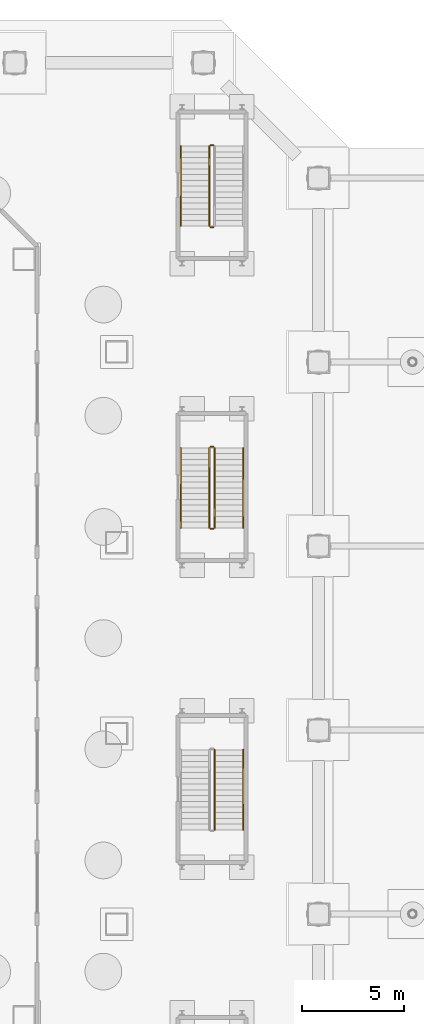
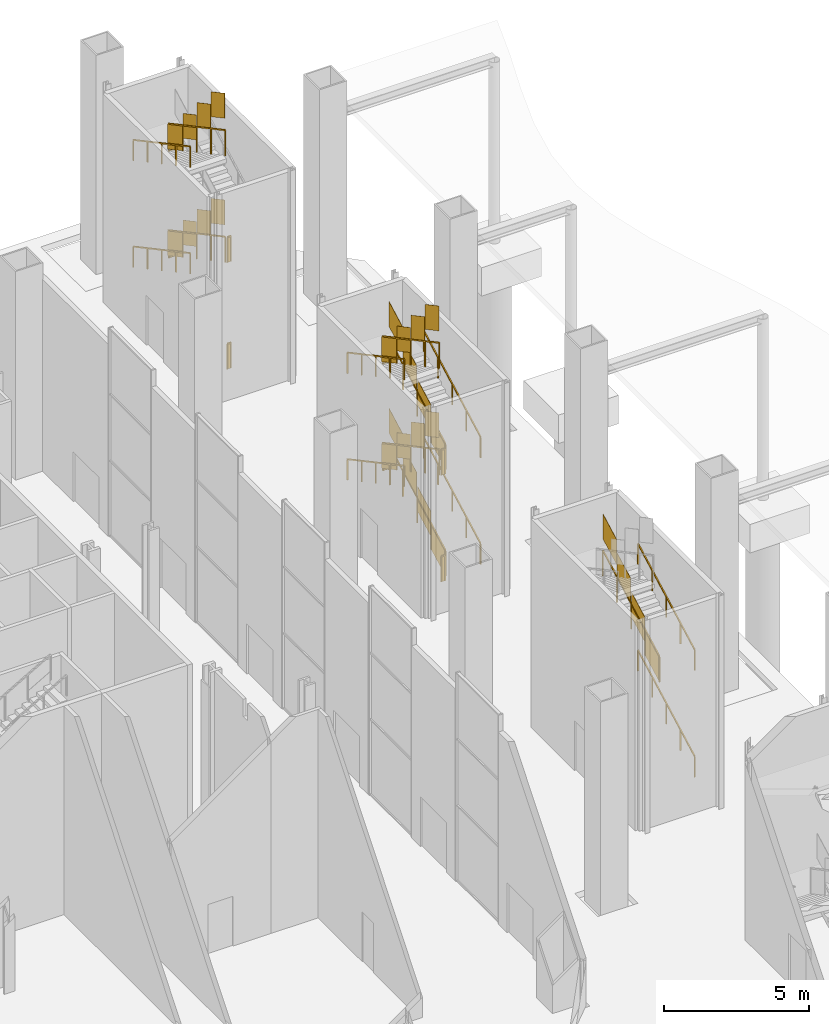
# One storey, part 36 of 38: 23 railings.
"""IFC4 building model written with IfcOpenShell, lengths in metres."""

from ifc_helpers import new_model, si_unit, direction, frame, origin, origin_2d, place, context, subcontext, project, spatial, polyline, rectangle, outline, extrude, material, type_object, element, save


model = new_model("IFC4")

# Units and contexts
model_context = context("Model", 3, precision=1e-05, world=origin(), true_north=direction((0.0, 1.0)))
body_context = subcontext(model_context, "Body", "Model", "MODEL_VIEW")
ifc_project = project(units=[si_unit("LENGTHUNIT", "METRE"), si_unit("AREAUNIT", "SQUARE_METRE"), si_unit("VOLUMEUNIT", "CUBIC_METRE"), si_unit("PLANEANGLEUNIT", "RADIAN"), si_unit("MASSUNIT", "GRAM", prefix="KILO")], contexts=[model_context])

# Site, building, storey
site_placement = place(None, origin())
site = spatial("IfcSite", under=ifc_project, at=site_placement, CompositionType="ELEMENT")
building_placement = place(site_placement, origin())
building = spatial("IfcBuilding", under=site, at=building_placement, Name="Cairn Pilgrim Tower", CompositionType="ELEMENT")
storey_placement = place(building_placement, origin())
storey = spatial("IfcBuildingStorey", under=building, at=storey_placement, Name="L00", CompositionType="ELEMENT", Elevation=0.0)

# Railings
ifc_material = material(Name="Painted steel", Category="steel")
railing_type_1 = type_object("IfcRailingType", Name="PODIUM STAIR GUARD 1100", PredefinedType="GUARDRAIL", material=ifc_material)
railing_1_placement = place(storey_placement, frame((32.699951171875, -9.39990234375, 4.64990234375)))
element("IfcRailing", 1, at=railing_1_placement, inside=storey, type_object=railing_type_1, Name="L00 ST-ES2 stair guard 5", PredefinedType="GUARDRAIL", context=body_context, shape_type="SweptSolid", body=[
    extrude(rectangle(XDim=0.048095703125, YDim=0.048095703125, at=origin_2d()), frame((0.0, 0.0, 1.076171875), z_axis=(0.0, 0.881466911329, 0.472245787945), x_axis=(-1.0, 0.0, 0.0)), (0.0, 0.0, 1.0), 4.447021484375),
    extrude(rectangle(XDim=0.0419921875, YDim=0.0419921875, at=origin_2d()), origin(), (0.0, 0.0, 1.0), 1.052001953125),
    extrude(rectangle(XDim=0.0419921875, YDim=0.0419921875, at=origin_2d()), frame((0.0, 0.97998046875, 0.52490234375)), (0.0, 0.0, 1.0), 1.052001953125),
    extrude(rectangle(XDim=0.0419921875, YDim=0.0419921875, at=origin_2d()), frame((0.0, 1.9599609375, 1.050048828125)), (0.0, 0.0, 1.0), 1.052001953125),
    extrude(rectangle(XDim=0.0419921875, YDim=0.0419921875, at=origin_2d()), frame((0.0, 2.93994140625, 1.5751953125)), (0.0, 0.0, 1.0), 1.052001953125),
    extrude(rectangle(XDim=0.0419921875, YDim=0.0419921875, at=origin_2d()), frame((0.0, 3.919921875, 2.10009765625)), (0.0, 0.0, 1.0), 1.052001953125),
    extrude(outline(polyline([(0.02099609375, 0.01123046875), (0.958984375, 0.513671875), (0.958984375, 1.565673828125), (0.02099609375, 1.063232421875), (0.02099609375, 0.01123046875)])), frame((-0.005859375, 0.0, 0.0), z_axis=(1.0, 0.0, 0.0), x_axis=(0.0, 1.0, 0.0)), (0.0, 0.0, 1.0), 0.011962890625),
    extrude(outline(polyline([(0.02099609375, 0.536376953125), (0.958984375, 1.038818359375), (0.958984375, 2.0908203125), (0.02099609375, 1.58837890625), (0.02099609375, 0.536376953125)])), frame((-0.005859375, 0.97998046875, 0.52490234375), z_axis=(1.0, 0.0, 0.0), x_axis=(0.0, 1.0, 0.0)), (0.0, 0.0, 1.0), 0.011962890625),
    extrude(outline(polyline([(0.02099609375, 1.061279296875), (0.958984375, 1.563720703125), (0.958984375, 2.61572265625), (0.02099609375, 2.11328125), (0.02099609375, 1.061279296875)])), frame((-0.005859375, 1.9599609375, 1.050048828125), z_axis=(1.0, 0.0, 0.0), x_axis=(0.0, 1.0, 0.0)), (0.0, 0.0, 1.0), 0.011962890625),
    extrude(outline(polyline([(0.02099609375, 1.58642578125), (0.958984375, 2.0888671875), (0.958984375, 3.140869140625), (0.02099609375, 2.638427734375), (0.02099609375, 1.58642578125)])), frame((-0.005859375, 2.93994140625, 1.5751953125), z_axis=(1.0, 0.0, 0.0), x_axis=(0.0, 1.0, 0.0)), (0.0, 0.0, 1.0), 0.011962890625),
])
railing_2_placement = place(storey_placement, frame((32.699951171875, 5.39990234375, 0.14990234375)))
element("IfcRailing", 2, at=railing_2_placement, inside=storey, type_object=railing_type_1, Name="L00 ST-ES3 stair guard 1", PredefinedType="GUARDRAIL", context=body_context, shape_type="SweptSolid", body=[
    extrude(rectangle(XDim=0.048095703125, YDim=0.048095703125, at=origin_2d()), frame((0.0, 0.0, 1.076171875), z_axis=(0.0, 0.881479153919, 0.472222935917), x_axis=(-1.0, 0.0, 0.0)), (0.0, 0.0, 1.0), 4.447265625),
    extrude(rectangle(XDim=0.0419921875, YDim=0.0419921875, at=origin_2d()), origin(), (0.0, 0.0, 1.0), 1.052001953125),
    extrude(rectangle(XDim=0.0419921875, YDim=0.0419921875, at=origin_2d()), frame((0.0, 0.97998046875, 0.52490234375)), (0.0, 0.0, 1.0), 1.052001953125),
    extrude(rectangle(XDim=0.0419921875, YDim=0.0419921875, at=origin_2d()), frame((0.0, 1.960205078125, 1.050048828125)), (0.0, 0.0, 1.0), 1.052001953125),
    extrude(rectangle(XDim=0.0419921875, YDim=0.0419921875, at=origin_2d()), frame((0.0, 2.940185546875, 1.5751953125)), (0.0, 0.0, 1.0), 1.052001953125),
    extrude(rectangle(XDim=0.0419921875, YDim=0.0419921875, at=origin_2d()), frame((0.0, 3.920166015625, 2.10009765625)), (0.0, 0.0, 1.0), 1.052001953125),
    extrude(outline(polyline([(0.02099609375, 0.01123046875), (0.958984375, 0.513671875), (0.958984375, 1.565673828125), (0.02099609375, 1.063232421875), (0.02099609375, 0.01123046875)])), frame((-0.005859375, 0.0, 0.0), z_axis=(1.0, 0.0, 0.0), x_axis=(0.0, 1.0, 0.0)), (0.0, 0.0, 1.0), 0.011962890625),
    extrude(outline(polyline([(0.02099609375, 0.536376953125), (0.958984375, 1.038818359375), (0.958984375, 2.0908203125), (0.02099609375, 1.58837890625), (0.02099609375, 0.536376953125)])), frame((-0.005859375, 0.97998046875, 0.52490234375), z_axis=(1.0, 0.0, 0.0), x_axis=(0.0, 1.0, 0.0)), (0.0, 0.0, 1.0), 0.011962890625),
    extrude(outline(polyline([(0.02099609375, 1.061279296875), (0.958984375, 1.563720703125), (0.958984375, 2.61572265625), (0.02099609375, 2.11328125), (0.02099609375, 1.061279296875)])), frame((-0.005859375, 1.960205078125, 1.050048828125), z_axis=(1.0, 0.0, 0.0), x_axis=(0.0, 1.0, 0.0)), (0.0, 0.0, 1.0), 0.011962890625),
    extrude(outline(polyline([(0.02099609375, 1.58642578125), (0.958984375, 2.0888671875), (0.958984375, 3.140869140625), (0.02099609375, 2.638427734375), (0.02099609375, 1.58642578125)])), frame((-0.005859375, 2.940185546875, 1.5751953125), z_axis=(1.0, 0.0, 0.0), x_axis=(0.0, 1.0, 0.0)), (0.0, 0.0, 1.0), 0.011962890625),
])
railing_3_placement = place(storey_placement, frame((32.64990234375, 9.3701171875, 2.25)))
element("IfcRailing", 3, at=railing_3_placement, inside=storey, type_object=railing_type_1, Name="L00 ST-ES3 stair guard 2", PredefinedType="GUARDRAIL", context=body_context, shape_type="SweptSolid", body=[
    extrude(rectangle(XDim=0.048095703125, YDim=0.048095703125, at=origin_2d()), frame((0.0, 0.0, 1.076171875), z_axis=(-1.0, 0.0, 0.0), x_axis=(0.0, -1.0, 0.0)), (0.0, 0.0, 1.0), 0.14990234375),
    extrude(rectangle(XDim=0.0419921875, YDim=0.0419921875, at=origin_2d()), origin(), (0.0, 0.0, 1.0), 1.052001953125),
    extrude(rectangle(XDim=0.0419921875, YDim=0.0419921875, at=origin_2d()), frame((-0.14990234375, 0.0, 0.0)), (0.0, 0.0, 1.0), 1.052001953125),
    extrude(outline(polyline([(0.02099609375, 0.0), (0.12890625, 0.0), (0.12890625, 1.052001953125), (0.02099609375, 1.052001953125), (0.02099609375, 0.0)])), frame((0.0, -0.005859375, 0.0), z_axis=(0.0, 1.0, 0.0), x_axis=(-1.0, 0.0, 0.0)), (0.0, 0.0, 1.0), 0.011962890625),
])
railing_4_placement = place(storey_placement, frame((32.449951171875, 9.320068359375, 2.39990234375)))
element("IfcRailing", 4, at=railing_4_placement, inside=storey, type_object=railing_type_1, Name="L00 ST-ES3 stair guard 3", PredefinedType="GUARDRAIL", context=body_context, shape_type="SweptSolid", body=[
    extrude(rectangle(XDim=0.048095703125, YDim=0.048095703125, at=origin_2d()), frame((0.0, 0.0, 1.076171875), z_axis=(0.0, -0.881479153919, 0.472222935917), x_axis=(1.0, 0.0, 0.0)), (0.0, 0.0, 1.0), 4.447265625),
    extrude(rectangle(XDim=0.0419921875, YDim=0.0419921875, at=origin_2d()), origin(), (0.0, 0.0, 1.0), 1.052001953125),
    extrude(rectangle(XDim=0.0419921875, YDim=0.0419921875, at=origin_2d()), frame((0.0, -0.97998046875, 0.52490234375)), (0.0, 0.0, 1.0), 1.052001953125),
    extrude(rectangle(XDim=0.0419921875, YDim=0.0419921875, at=origin_2d()), frame((0.0, -1.960205078125, 1.050048828125)), (0.0, 0.0, 1.0), 1.052001953125),
    extrude(rectangle(XDim=0.0419921875, YDim=0.0419921875, at=origin_2d()), frame((0.0, -2.940185546875, 1.5751953125)), (0.0, 0.0, 1.0), 1.052001953125),
    extrude(rectangle(XDim=0.0419921875, YDim=0.0419921875, at=origin_2d()), frame((0.0, -3.920166015625, 2.10009765625)), (0.0, 0.0, 1.0), 1.052001953125),
    extrude(outline(polyline([(0.02099609375, 0.01123046875), (0.958984375, 0.513671875), (0.958984375, 1.565673828125), (0.02099609375, 1.063232421875), (0.02099609375, 0.01123046875)])), frame((0.005859375, 0.0, 0.0), z_axis=(-1.0, 0.0, 0.0), x_axis=(0.0, -1.0, 0.0)), (0.0, 0.0, 1.0), 0.011962890625),
    extrude(outline(polyline([(0.02099609375, 0.536376953125), (0.958984375, 1.038818359375), (0.958984375, 2.0908203125), (0.02099609375, 1.58837890625), (0.02099609375, 0.536376953125)])), frame((0.005859375, -0.97998046875, 0.52490234375), z_axis=(-1.0, 0.0, 0.0), x_axis=(0.0, -1.0, 0.0)), (0.0, 0.0, 1.0), 0.011962890625),
    extrude(outline(polyline([(0.02099609375, 1.061279296875), (0.958984375, 1.563720703125), (0.958984375, 2.61572265625), (0.02099609375, 2.11328125), (0.02099609375, 1.061279296875)])), frame((0.005859375, -1.960205078125, 1.050048828125), z_axis=(-1.0, 0.0, 0.0), x_axis=(0.0, -1.0, 0.0)), (0.0, 0.0, 1.0), 0.011962890625),
    extrude(outline(polyline([(0.02099609375, 1.58642578125), (0.958984375, 2.0888671875), (0.958984375, 3.140869140625), (0.02099609375, 2.638427734375), (0.02099609375, 1.58642578125)])), frame((0.005859375, -2.940185546875, 1.5751953125), z_axis=(-1.0, 0.0, 0.0), x_axis=(0.0, -1.0, 0.0)), (0.0, 0.0, 1.0), 0.011962890625),
])
railing_5_placement = place(storey_placement, frame((32.64990234375, 5.35009765625, 4.5)))
element("IfcRailing", 5, at=railing_5_placement, inside=storey, type_object=railing_type_1, Name="L00 ST-ES3 stair guard 4", PredefinedType="GUARDRAIL", context=body_context, shape_type="SweptSolid", body=[
    extrude(rectangle(XDim=0.048095703125, YDim=0.048095703125, at=origin_2d()), frame((0.0, 0.0, 1.076171875), z_axis=(-1.0, 0.0, 0.0), x_axis=(0.0, -1.0, 0.0)), (0.0, 0.0, 1.0), 0.14990234375),
    extrude(rectangle(XDim=0.0419921875, YDim=0.0419921875, at=origin_2d()), origin(), (0.0, 0.0, 1.0), 1.052001953125),
    extrude(rectangle(XDim=0.0419921875, YDim=0.0419921875, at=origin_2d()), frame((-0.14990234375, 0.0, 0.0)), (0.0, 0.0, 1.0), 1.052001953125),
    extrude(outline(polyline([(0.02099609375, 0.0), (0.12890625, 0.0), (0.12890625, 1.052001953125), (0.02099609375, 1.052001953125), (0.02099609375, 0.0)])), frame((0.0, -0.005859375, 0.0), z_axis=(0.0, 1.0, 0.0), x_axis=(-1.0, 0.0, 0.0)), (0.0, 0.0, 1.0), 0.011962890625),
])
railing_6_placement = place(storey_placement, frame((32.699951171875, 5.39990234375, 4.64990234375)))
element("IfcRailing", 6, at=railing_6_placement, inside=storey, type_object=railing_type_1, Name="L00 ST-ES3 stair guard 5", PredefinedType="GUARDRAIL", context=body_context, shape_type="SweptSolid", body=[
    extrude(rectangle(XDim=0.048095703125, YDim=0.048095703125, at=origin_2d()), frame((0.0, 0.0, 1.076171875), z_axis=(0.0, 0.881479153919, 0.472222935917), x_axis=(-1.0, 0.0, 0.0)), (0.0, 0.0, 1.0), 4.447265625),
    extrude(rectangle(XDim=0.0419921875, YDim=0.0419921875, at=origin_2d()), origin(), (0.0, 0.0, 1.0), 1.052001953125),
    extrude(rectangle(XDim=0.0419921875, YDim=0.0419921875, at=origin_2d()), frame((0.0, 0.97998046875, 0.52490234375)), (0.0, 0.0, 1.0), 1.052001953125),
    extrude(rectangle(XDim=0.0419921875, YDim=0.0419921875, at=origin_2d()), frame((0.0, 1.960205078125, 1.050048828125)), (0.0, 0.0, 1.0), 1.052001953125),
    extrude(rectangle(XDim=0.0419921875, YDim=0.0419921875, at=origin_2d()), frame((0.0, 2.940185546875, 1.5751953125)), (0.0, 0.0, 1.0), 1.052001953125),
    extrude(rectangle(XDim=0.0419921875, YDim=0.0419921875, at=origin_2d()), frame((0.0, 3.920166015625, 2.10009765625)), (0.0, 0.0, 1.0), 1.052001953125),
    extrude(outline(polyline([(0.02099609375, 0.01123046875), (0.958984375, 0.513671875), (0.958984375, 1.565673828125), (0.02099609375, 1.063232421875), (0.02099609375, 0.01123046875)])), frame((-0.005859375, 0.0, 0.0), z_axis=(1.0, 0.0, 0.0), x_axis=(0.0, 1.0, 0.0)), (0.0, 0.0, 1.0), 0.011962890625),
    extrude(outline(polyline([(0.02099609375, 0.536376953125), (0.958984375, 1.038818359375), (0.958984375, 2.0908203125), (0.02099609375, 1.58837890625), (0.02099609375, 0.536376953125)])), frame((-0.005859375, 0.97998046875, 0.52490234375), z_axis=(1.0, 0.0, 0.0), x_axis=(0.0, 1.0, 0.0)), (0.0, 0.0, 1.0), 0.011962890625),
    extrude(outline(polyline([(0.02099609375, 1.061279296875), (0.958984375, 1.563720703125), (0.958984375, 2.61572265625), (0.02099609375, 2.11328125), (0.02099609375, 1.061279296875)])), frame((-0.005859375, 1.960205078125, 1.050048828125), z_axis=(1.0, 0.0, 0.0), x_axis=(0.0, 1.0, 0.0)), (0.0, 0.0, 1.0), 0.011962890625),
    extrude(outline(polyline([(0.02099609375, 1.58642578125), (0.958984375, 2.0888671875), (0.958984375, 3.140869140625), (0.02099609375, 2.638427734375), (0.02099609375, 1.58642578125)])), frame((-0.005859375, 2.940185546875, 1.5751953125), z_axis=(1.0, 0.0, 0.0), x_axis=(0.0, 1.0, 0.0)), (0.0, 0.0, 1.0), 0.011962890625),
])
railing_7_placement = place(storey_placement, frame((32.64990234375, 9.3701171875, 6.75)))
element("IfcRailing", 7, at=railing_7_placement, inside=storey, type_object=railing_type_1, Name="L00 ST-ES3 stair guard 6", PredefinedType="GUARDRAIL", context=body_context, shape_type="SweptSolid", body=[
    extrude(rectangle(XDim=0.048095703125, YDim=0.048095703125, at=origin_2d()), frame((0.0, 0.0, 1.076171875), z_axis=(-1.0, 0.0, 0.0), x_axis=(0.0, -1.0, 0.0)), (0.0, 0.0, 1.0), 0.14990234375),
    extrude(rectangle(XDim=0.0419921875, YDim=0.0419921875, at=origin_2d()), origin(), (0.0, 0.0, 1.0), 1.052001953125),
    extrude(rectangle(XDim=0.0419921875, YDim=0.0419921875, at=origin_2d()), frame((-0.14990234375, 0.0, 0.0)), (0.0, 0.0, 1.0), 1.052001953125),
    extrude(outline(polyline([(0.02099609375, 0.0), (0.12890625, 0.0), (0.12890625, 1.052001953125), (0.02099609375, 1.052001953125), (0.02099609375, 0.0)])), frame((0.0, -0.005859375, 0.0), z_axis=(0.0, 1.0, 0.0), x_axis=(-1.0, 0.0, 0.0)), (0.0, 0.0, 1.0), 0.011962890625),
])
railing_8_placement = place(storey_placement, frame((32.449951171875, 9.320068359375, 6.89990234375)))
element("IfcRailing", 8, at=railing_8_placement, inside=storey, type_object=railing_type_1, Name="L00 ST-ES3 stair guard 7", PredefinedType="GUARDRAIL", context=body_context, shape_type="SweptSolid", body=[
    extrude(rectangle(XDim=0.048095703125, YDim=0.048095703125, at=origin_2d()), frame((0.0, 0.0, 1.076171875), z_axis=(0.0, -0.881479153919, 0.472222935917), x_axis=(1.0, 0.0, 0.0)), (0.0, 0.0, 1.0), 4.447265625),
    extrude(rectangle(XDim=0.0419921875, YDim=0.0419921875, at=origin_2d()), origin(), (0.0, 0.0, 1.0), 1.052001953125),
    extrude(rectangle(XDim=0.0419921875, YDim=0.0419921875, at=origin_2d()), frame((0.0, -0.97998046875, 0.52490234375)), (0.0, 0.0, 1.0), 1.052001953125),
    extrude(rectangle(XDim=0.0419921875, YDim=0.0419921875, at=origin_2d()), frame((0.0, -1.960205078125, 1.050048828125)), (0.0, 0.0, 1.0), 1.052001953125),
    extrude(rectangle(XDim=0.0419921875, YDim=0.0419921875, at=origin_2d()), frame((0.0, -2.940185546875, 1.5751953125)), (0.0, 0.0, 1.0), 1.052001953125),
    extrude(rectangle(XDim=0.0419921875, YDim=0.0419921875, at=origin_2d()), frame((0.0, -3.920166015625, 2.10009765625)), (0.0, 0.0, 1.0), 1.052001953125),
    extrude(outline(polyline([(0.02099609375, 0.01123046875), (0.958984375, 0.513671875), (0.958984375, 1.565673828125), (0.02099609375, 1.063232421875), (0.02099609375, 0.01123046875)])), frame((0.005859375, 0.0, 0.0), z_axis=(-1.0, 0.0, 0.0), x_axis=(0.0, -1.0, 0.0)), (0.0, 0.0, 1.0), 0.011962890625),
    extrude(outline(polyline([(0.02099609375, 0.536376953125), (0.958984375, 1.038818359375), (0.958984375, 2.0908203125), (0.02099609375, 1.58837890625), (0.02099609375, 0.536376953125)])), frame((0.005859375, -0.97998046875, 0.52490234375), z_axis=(-1.0, 0.0, 0.0), x_axis=(0.0, -1.0, 0.0)), (0.0, 0.0, 1.0), 0.011962890625),
    extrude(outline(polyline([(0.02099609375, 1.061279296875), (0.958984375, 1.563720703125), (0.958984375, 2.61572265625), (0.02099609375, 2.11328125), (0.02099609375, 1.061279296875)])), frame((0.005859375, -1.960205078125, 1.050048828125), z_axis=(-1.0, 0.0, 0.0), x_axis=(0.0, -1.0, 0.0)), (0.0, 0.0, 1.0), 0.011962890625),
    extrude(outline(polyline([(0.02099609375, 1.58642578125), (0.958984375, 2.0888671875), (0.958984375, 3.140869140625), (0.02099609375, 2.638427734375), (0.02099609375, 1.58642578125)])), frame((0.005859375, -2.940185546875, 1.5751953125), z_axis=(-1.0, 0.0, 0.0), x_axis=(0.0, -1.0, 0.0)), (0.0, 0.0, 1.0), 0.011962890625),
])
for number, where, name in (
    (9, (32.64990234375, 5.35009765625, 0.0), "L00 ST-ES3 stair guard 8"),
    (10, (32.64990234375, 24.169921875, 2.25), "L00 ST-ES4 stair guard 2"),
):
    element("IfcRailing", number, at=place(storey_placement, frame(where)), inside=storey, type_object=railing_type_1, Name=name, PredefinedType="GUARDRAIL", context=body_context, shape_type="SweptSolid", body=[
        extrude(rectangle(XDim=0.048095703125, YDim=0.048095703125, at=origin_2d()), frame((0.0, 0.0, 1.076171875), z_axis=(-1.0, 0.0, 0.0), x_axis=(0.0, -1.0, 0.0)), (0.0, 0.0, 1.0), 0.14990234375),
        extrude(rectangle(XDim=0.0419921875, YDim=0.0419921875, at=origin_2d()), origin(), (0.0, 0.0, 1.0), 1.052001953125),
        extrude(rectangle(XDim=0.0419921875, YDim=0.0419921875, at=origin_2d()), frame((-0.14990234375, 0.0, 0.0)), (0.0, 0.0, 1.0), 1.052001953125),
        extrude(outline(polyline([(0.02099609375, 0.0), (0.12890625, 0.0), (0.12890625, 1.052001953125), (0.02099609375, 1.052001953125), (0.02099609375, 0.0)])), frame((0.0, -0.005859375, 0.0), z_axis=(0.0, 1.0, 0.0), x_axis=(-1.0, 0.0, 0.0)), (0.0, 0.0, 1.0), 0.011962890625),
    ])
railing_9_placement = place(storey_placement, frame((32.449951171875, 24.1201171875, 2.39990234375)))
element("IfcRailing", 11, at=railing_9_placement, inside=storey, type_object=railing_type_1, Name="L00 ST-ES4 stair guard 3", PredefinedType="GUARDRAIL", context=body_context, shape_type="SweptSolid", body=[
    extrude(rectangle(XDim=0.048095703125, YDim=0.048095703125, at=origin_2d()), frame((0.0, 0.0, 1.076171875), z_axis=(0.0, -0.881479153919, 0.472222935917), x_axis=(1.0, 0.0, 0.0)), (0.0, 0.0, 1.0), 4.447265625),
    extrude(rectangle(XDim=0.0419921875, YDim=0.0419921875, at=origin_2d()), origin(), (0.0, 0.0, 1.0), 1.052001953125),
    extrude(rectangle(XDim=0.0419921875, YDim=0.0419921875, at=origin_2d()), frame((0.0, -0.97998046875, 0.52490234375)), (0.0, 0.0, 1.0), 1.052001953125),
    extrude(rectangle(XDim=0.0419921875, YDim=0.0419921875, at=origin_2d()), frame((0.0, -1.960205078125, 1.050048828125)), (0.0, 0.0, 1.0), 1.052001953125),
    extrude(rectangle(XDim=0.0419921875, YDim=0.0419921875, at=origin_2d()), frame((0.0, -2.940185546875, 1.5751953125)), (0.0, 0.0, 1.0), 1.052001953125),
    extrude(rectangle(XDim=0.0419921875, YDim=0.0419921875, at=origin_2d()), frame((0.0, -3.920166015625, 2.10009765625)), (0.0, 0.0, 1.0), 1.052001953125),
    extrude(outline(polyline([(0.02099609375, 0.01123046875), (0.958984375, 0.513671875), (0.958984375, 1.565673828125), (0.02099609375, 1.063232421875), (0.02099609375, 0.01123046875)])), frame((0.005859375, 0.0, 0.0), z_axis=(-1.0, 0.0, 0.0), x_axis=(0.0, -1.0, 0.0)), (0.0, 0.0, 1.0), 0.011962890625),
    extrude(outline(polyline([(0.02099609375, 0.536376953125), (0.958984375, 1.038818359375), (0.958984375, 2.0908203125), (0.02099609375, 1.58837890625), (0.02099609375, 0.536376953125)])), frame((0.005859375, -0.97998046875, 0.52490234375), z_axis=(-1.0, 0.0, 0.0), x_axis=(0.0, -1.0, 0.0)), (0.0, 0.0, 1.0), 0.011962890625),
    extrude(outline(polyline([(0.02099609375, 1.061279296875), (0.958984375, 1.563720703125), (0.958984375, 2.61572265625), (0.02099609375, 2.11328125), (0.02099609375, 1.061279296875)])), frame((0.005859375, -1.960205078125, 1.050048828125), z_axis=(-1.0, 0.0, 0.0), x_axis=(0.0, -1.0, 0.0)), (0.0, 0.0, 1.0), 0.011962890625),
    extrude(outline(polyline([(0.02099609375, 1.58642578125), (0.958984375, 2.0888671875), (0.958984375, 3.140869140625), (0.02099609375, 2.638427734375), (0.02099609375, 1.58642578125)])), frame((0.005859375, -2.940185546875, 1.5751953125), z_axis=(-1.0, 0.0, 0.0), x_axis=(0.0, -1.0, 0.0)), (0.0, 0.0, 1.0), 0.011962890625),
])
for number, where, name in (
    (12, (32.64990234375, 20.14990234375, 4.5), "L00 ST-ES4 stair guard 4"),
    (13, (32.64990234375, 24.169921875, 6.75), "L00 ST-ES4 stair guard 6"),
):
    element("IfcRailing", number, at=place(storey_placement, frame(where)), inside=storey, type_object=railing_type_1, Name=name, PredefinedType="GUARDRAIL", context=body_context, shape_type="SweptSolid", body=[
        extrude(rectangle(XDim=0.048095703125, YDim=0.048095703125, at=origin_2d()), frame((0.0, 0.0, 1.076171875), z_axis=(-1.0, 0.0, 0.0), x_axis=(0.0, -1.0, 0.0)), (0.0, 0.0, 1.0), 0.14990234375),
        extrude(rectangle(XDim=0.0419921875, YDim=0.0419921875, at=origin_2d()), origin(), (0.0, 0.0, 1.0), 1.052001953125),
        extrude(rectangle(XDim=0.0419921875, YDim=0.0419921875, at=origin_2d()), frame((-0.14990234375, 0.0, 0.0)), (0.0, 0.0, 1.0), 1.052001953125),
        extrude(outline(polyline([(0.02099609375, 0.0), (0.12890625, 0.0), (0.12890625, 1.052001953125), (0.02099609375, 1.052001953125), (0.02099609375, 0.0)])), frame((0.0, -0.005859375, 0.0), z_axis=(0.0, 1.0, 0.0), x_axis=(-1.0, 0.0, 0.0)), (0.0, 0.0, 1.0), 0.011962890625),
    ])
railing_10_placement = place(storey_placement, frame((32.449951171875, 24.1201171875, 6.89990234375)))
element("IfcRailing", 14, at=railing_10_placement, inside=storey, type_object=railing_type_1, Name="L00 ST-ES4 stair guard 7", PredefinedType="GUARDRAIL", context=body_context, shape_type="SweptSolid", body=[
    extrude(rectangle(XDim=0.048095703125, YDim=0.048095703125, at=origin_2d()), frame((0.0, 0.0, 1.076171875), z_axis=(0.0, -0.881479153919, 0.472222935917), x_axis=(1.0, 0.0, 0.0)), (0.0, 0.0, 1.0), 4.447265625),
    extrude(rectangle(XDim=0.0419921875, YDim=0.0419921875, at=origin_2d()), origin(), (0.0, 0.0, 1.0), 1.052001953125),
    extrude(rectangle(XDim=0.0419921875, YDim=0.0419921875, at=origin_2d()), frame((0.0, -0.97998046875, 0.52490234375)), (0.0, 0.0, 1.0), 1.052001953125),
    extrude(rectangle(XDim=0.0419921875, YDim=0.0419921875, at=origin_2d()), frame((0.0, -1.960205078125, 1.050048828125)), (0.0, 0.0, 1.0), 1.052001953125),
    extrude(rectangle(XDim=0.0419921875, YDim=0.0419921875, at=origin_2d()), frame((0.0, -2.940185546875, 1.5751953125)), (0.0, 0.0, 1.0), 1.052001953125),
    extrude(rectangle(XDim=0.0419921875, YDim=0.0419921875, at=origin_2d()), frame((0.0, -3.920166015625, 2.10009765625)), (0.0, 0.0, 1.0), 1.052001953125),
    extrude(outline(polyline([(0.02099609375, 0.01123046875), (0.958984375, 0.513671875), (0.958984375, 1.565673828125), (0.02099609375, 1.063232421875), (0.02099609375, 0.01123046875)])), frame((0.005859375, 0.0, 0.0), z_axis=(-1.0, 0.0, 0.0), x_axis=(0.0, -1.0, 0.0)), (0.0, 0.0, 1.0), 0.011962890625),
    extrude(outline(polyline([(0.02099609375, 0.536376953125), (0.958984375, 1.038818359375), (0.958984375, 2.0908203125), (0.02099609375, 1.58837890625), (0.02099609375, 0.536376953125)])), frame((0.005859375, -0.97998046875, 0.52490234375), z_axis=(-1.0, 0.0, 0.0), x_axis=(0.0, -1.0, 0.0)), (0.0, 0.0, 1.0), 0.011962890625),
    extrude(outline(polyline([(0.02099609375, 1.061279296875), (0.958984375, 1.563720703125), (0.958984375, 2.61572265625), (0.02099609375, 2.11328125), (0.02099609375, 1.061279296875)])), frame((0.005859375, -1.960205078125, 1.050048828125), z_axis=(-1.0, 0.0, 0.0), x_axis=(0.0, -1.0, 0.0)), (0.0, 0.0, 1.0), 0.011962890625),
    extrude(outline(polyline([(0.02099609375, 1.58642578125), (0.958984375, 2.0888671875), (0.958984375, 3.140869140625), (0.02099609375, 2.638427734375), (0.02099609375, 1.58642578125)])), frame((0.005859375, -2.940185546875, 1.5751953125), z_axis=(-1.0, 0.0, 0.0), x_axis=(0.0, -1.0, 0.0)), (0.0, 0.0, 1.0), 0.011962890625),
])
railing_11_placement = place(storey_placement, frame((32.64990234375, 20.14990234375, 0.0)))
element("IfcRailing", 15, at=railing_11_placement, inside=storey, type_object=railing_type_1, Name="L00 ST-ES4 stair guard 8", PredefinedType="GUARDRAIL", context=body_context, shape_type="SweptSolid", body=[
    extrude(rectangle(XDim=0.048095703125, YDim=0.048095703125, at=origin_2d()), frame((0.0, 0.0, 1.076171875), z_axis=(-1.0, 0.0, 0.0), x_axis=(0.0, -1.0, 0.0)), (0.0, 0.0, 1.0), 0.14990234375),
    extrude(rectangle(XDim=0.0419921875, YDim=0.0419921875, at=origin_2d()), origin(), (0.0, 0.0, 1.0), 1.052001953125),
    extrude(rectangle(XDim=0.0419921875, YDim=0.0419921875, at=origin_2d()), frame((-0.14990234375, 0.0, 0.0)), (0.0, 0.0, 1.0), 1.052001953125),
    extrude(outline(polyline([(0.02099609375, 0.0), (0.12890625, 0.0), (0.12890625, 1.052001953125), (0.02099609375, 1.052001953125), (0.02099609375, 0.0)])), frame((0.0, -0.005859375, 0.0), z_axis=(0.0, 1.0, 0.0), x_axis=(-1.0, 0.0, 0.0)), (0.0, 0.0, 1.0), 0.011962890625),
])
railing_type_2 = type_object("IfcRailingType", Name="PODIUM STAIR HANDRAIL 900", PredefinedType="HANDRAIL", material=ifc_material)
for number, where, name in (
    (16, (34.10009765625, -9.39990234375, 0.14990234375), "L00 ST-ES2 stair handrail 1"),
    (17, (34.10009765625, -9.39990234375, 4.64990234375), "L00 ST-ES2 stair handrail 3"),
):
    element("IfcRailing", number, at=place(storey_placement, frame(where)), inside=storey, type_object=railing_type_2, Name=name, PredefinedType="HANDRAIL", context=body_context, shape_type="SweptSolid", body=[
        extrude(rectangle(XDim=0.048095703125, YDim=0.048095703125, at=origin_2d()), frame((0.0, 0.0, 0.8759765625), z_axis=(0.0, 0.881466911329, 0.472245787945), x_axis=(-1.0, 0.0, 0.0)), (0.0, 0.0, 1.0), 4.447021484375),
        extrude(rectangle(XDim=0.0419921875, YDim=0.0419921875, at=origin_2d()), origin(), (0.0, 0.0, 1.0), 0.851806640625),
        extrude(rectangle(XDim=0.0419921875, YDim=0.0419921875, at=origin_2d()), frame((0.0, 0.97998046875, 0.52490234375)), (0.0, 0.0, 1.0), 0.851806640625),
        extrude(rectangle(XDim=0.0419921875, YDim=0.0419921875, at=origin_2d()), frame((0.0, 1.9599609375, 1.050048828125)), (0.0, 0.0, 1.0), 0.851806640625),
        extrude(rectangle(XDim=0.0419921875, YDim=0.0419921875, at=origin_2d()), frame((0.0, 2.93994140625, 1.5751953125)), (0.0, 0.0, 1.0), 0.851806640625),
        extrude(rectangle(XDim=0.0419921875, YDim=0.0419921875, at=origin_2d()), frame((0.0, 3.919921875, 2.10009765625)), (0.0, 0.0, 1.0), 0.851806640625),
    ])
railing_12_placement = place(storey_placement, frame((34.10009765625, 5.39990234375, 0.14990234375)))
element("IfcRailing", 18, at=railing_12_placement, inside=storey, type_object=railing_type_2, Name="L00 ST-ES3 stair handrail 1", PredefinedType="HANDRAIL", context=body_context, shape_type="SweptSolid", body=[
    extrude(rectangle(XDim=0.048095703125, YDim=0.048095703125, at=origin_2d()), frame((0.0, 0.0, 0.8759765625), z_axis=(0.0, 0.881479153919, 0.472222935917), x_axis=(-1.0, 0.0, 0.0)), (0.0, 0.0, 1.0), 4.447265625),
    extrude(rectangle(XDim=0.0419921875, YDim=0.0419921875, at=origin_2d()), origin(), (0.0, 0.0, 1.0), 0.851806640625),
    extrude(rectangle(XDim=0.0419921875, YDim=0.0419921875, at=origin_2d()), frame((0.0, 0.97998046875, 0.52490234375)), (0.0, 0.0, 1.0), 0.851806640625),
    extrude(rectangle(XDim=0.0419921875, YDim=0.0419921875, at=origin_2d()), frame((0.0, 1.960205078125, 1.050048828125)), (0.0, 0.0, 1.0), 0.851806640625),
    extrude(rectangle(XDim=0.0419921875, YDim=0.0419921875, at=origin_2d()), frame((0.0, 2.940185546875, 1.5751953125)), (0.0, 0.0, 1.0), 0.851806640625),
    extrude(rectangle(XDim=0.0419921875, YDim=0.0419921875, at=origin_2d()), frame((0.0, 3.920166015625, 2.10009765625)), (0.0, 0.0, 1.0), 0.851806640625),
])
railing_13_placement = place(storey_placement, frame((31.050048828125, 9.320068359375, 2.39990234375)))
element("IfcRailing", 19, at=railing_13_placement, inside=storey, type_object=railing_type_2, Name="L00 ST-ES3 stair handrail 2", PredefinedType="HANDRAIL", context=body_context, shape_type="SweptSolid", body=[
    extrude(rectangle(XDim=0.048095703125, YDim=0.048095703125, at=origin_2d()), frame((0.0, 0.0, 0.8759765625), z_axis=(0.0, -0.881479153919, 0.472222935917), x_axis=(1.0, 0.0, 0.0)), (0.0, 0.0, 1.0), 4.447265625),
    extrude(rectangle(XDim=0.0419921875, YDim=0.0419921875, at=origin_2d()), origin(), (0.0, 0.0, 1.0), 0.851806640625),
    extrude(rectangle(XDim=0.0419921875, YDim=0.0419921875, at=origin_2d()), frame((0.0, -0.97998046875, 0.52490234375)), (0.0, 0.0, 1.0), 0.851806640625),
    extrude(rectangle(XDim=0.0419921875, YDim=0.0419921875, at=origin_2d()), frame((0.0, -1.960205078125, 1.050048828125)), (0.0, 0.0, 1.0), 0.851806640625),
    extrude(rectangle(XDim=0.0419921875, YDim=0.0419921875, at=origin_2d()), frame((0.0, -2.940185546875, 1.5751953125)), (0.0, 0.0, 1.0), 0.851806640625),
    extrude(rectangle(XDim=0.0419921875, YDim=0.0419921875, at=origin_2d()), frame((0.0, -3.920166015625, 2.10009765625)), (0.0, 0.0, 1.0), 0.851806640625),
])
railing_14_placement = place(storey_placement, frame((34.10009765625, 5.39990234375, 4.64990234375)))
element("IfcRailing", 20, at=railing_14_placement, inside=storey, type_object=railing_type_2, Name="L00 ST-ES3 stair handrail 3", PredefinedType="HANDRAIL", context=body_context, shape_type="SweptSolid", body=[
    extrude(rectangle(XDim=0.048095703125, YDim=0.048095703125, at=origin_2d()), frame((0.0, 0.0, 0.8759765625), z_axis=(0.0, 0.881479153919, 0.472222935917), x_axis=(-1.0, 0.0, 0.0)), (0.0, 0.0, 1.0), 4.447265625),
    extrude(rectangle(XDim=0.0419921875, YDim=0.0419921875, at=origin_2d()), origin(), (0.0, 0.0, 1.0), 0.851806640625),
    extrude(rectangle(XDim=0.0419921875, YDim=0.0419921875, at=origin_2d()), frame((0.0, 0.97998046875, 0.52490234375)), (0.0, 0.0, 1.0), 0.851806640625),
    extrude(rectangle(XDim=0.0419921875, YDim=0.0419921875, at=origin_2d()), frame((0.0, 1.960205078125, 1.050048828125)), (0.0, 0.0, 1.0), 0.851806640625),
    extrude(rectangle(XDim=0.0419921875, YDim=0.0419921875, at=origin_2d()), frame((0.0, 2.940185546875, 1.5751953125)), (0.0, 0.0, 1.0), 0.851806640625),
    extrude(rectangle(XDim=0.0419921875, YDim=0.0419921875, at=origin_2d()), frame((0.0, 3.920166015625, 2.10009765625)), (0.0, 0.0, 1.0), 0.851806640625),
])
for number, where, name in (
    (21, (31.050048828125, 9.320068359375, 6.89990234375), "L00 ST-ES3 stair handrail 4"),
    (22, (31.050048828125, 24.1201171875, 2.39990234375), "L00 ST-ES4 stair handrail 2"),
    (23, (31.050048828125, 24.1201171875, 6.89990234375), "L00 ST-ES4 stair handrail 4"),
):
    element("IfcRailing", number, at=place(storey_placement, frame(where)), inside=storey, type_object=railing_type_2, Name=name, PredefinedType="HANDRAIL", context=body_context, shape_type="SweptSolid", body=[
        extrude(rectangle(XDim=0.048095703125, YDim=0.048095703125, at=origin_2d()), frame((0.0, 0.0, 0.8759765625), z_axis=(0.0, -0.881479153919, 0.472222935917), x_axis=(1.0, 0.0, 0.0)), (0.0, 0.0, 1.0), 4.447265625),
        extrude(rectangle(XDim=0.0419921875, YDim=0.0419921875, at=origin_2d()), origin(), (0.0, 0.0, 1.0), 0.851806640625),
        extrude(rectangle(XDim=0.0419921875, YDim=0.0419921875, at=origin_2d()), frame((0.0, -0.97998046875, 0.52490234375)), (0.0, 0.0, 1.0), 0.851806640625),
        extrude(rectangle(XDim=0.0419921875, YDim=0.0419921875, at=origin_2d()), frame((0.0, -1.960205078125, 1.050048828125)), (0.0, 0.0, 1.0), 0.851806640625),
        extrude(rectangle(XDim=0.0419921875, YDim=0.0419921875, at=origin_2d()), frame((0.0, -2.940185546875, 1.5751953125)), (0.0, 0.0, 1.0), 0.851806640625),
        extrude(rectangle(XDim=0.0419921875, YDim=0.0419921875, at=origin_2d()), frame((0.0, -3.920166015625, 2.10009765625)), (0.0, 0.0, 1.0), 0.851806640625),
    ])

save(model, "model.ifc")
